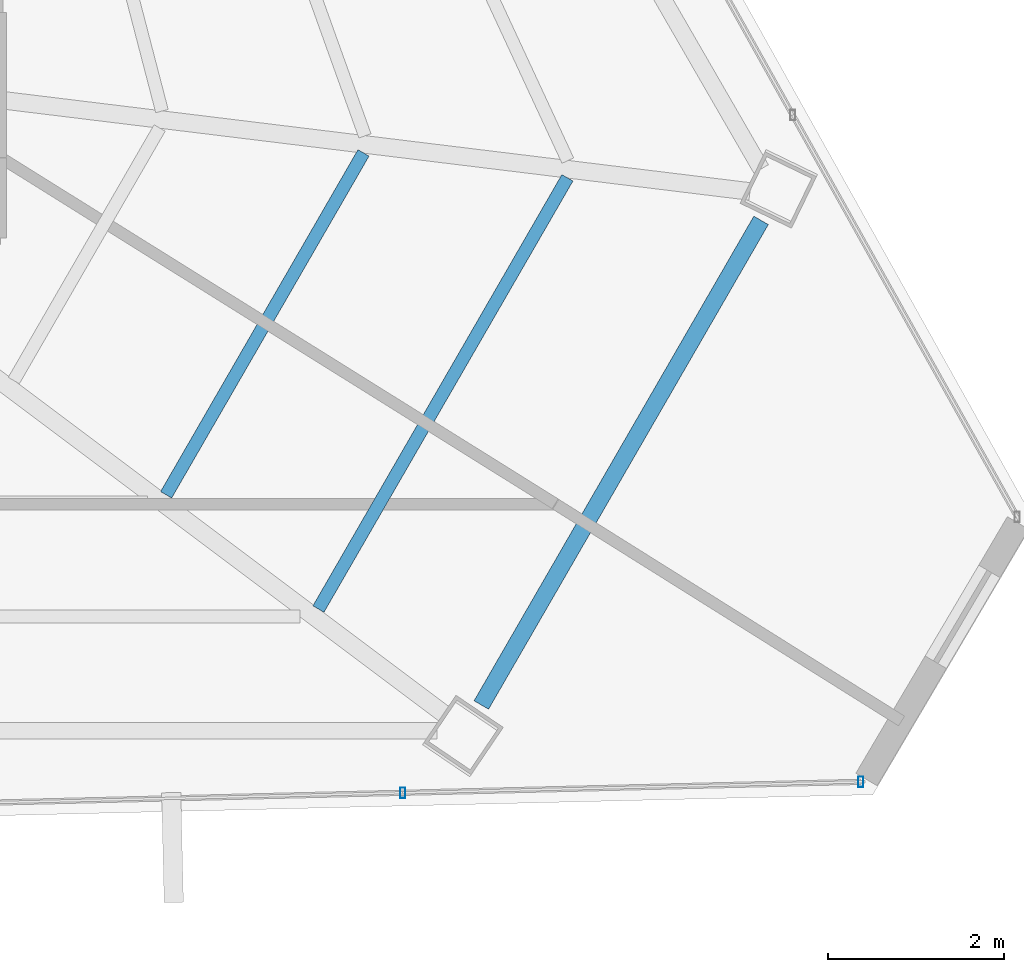
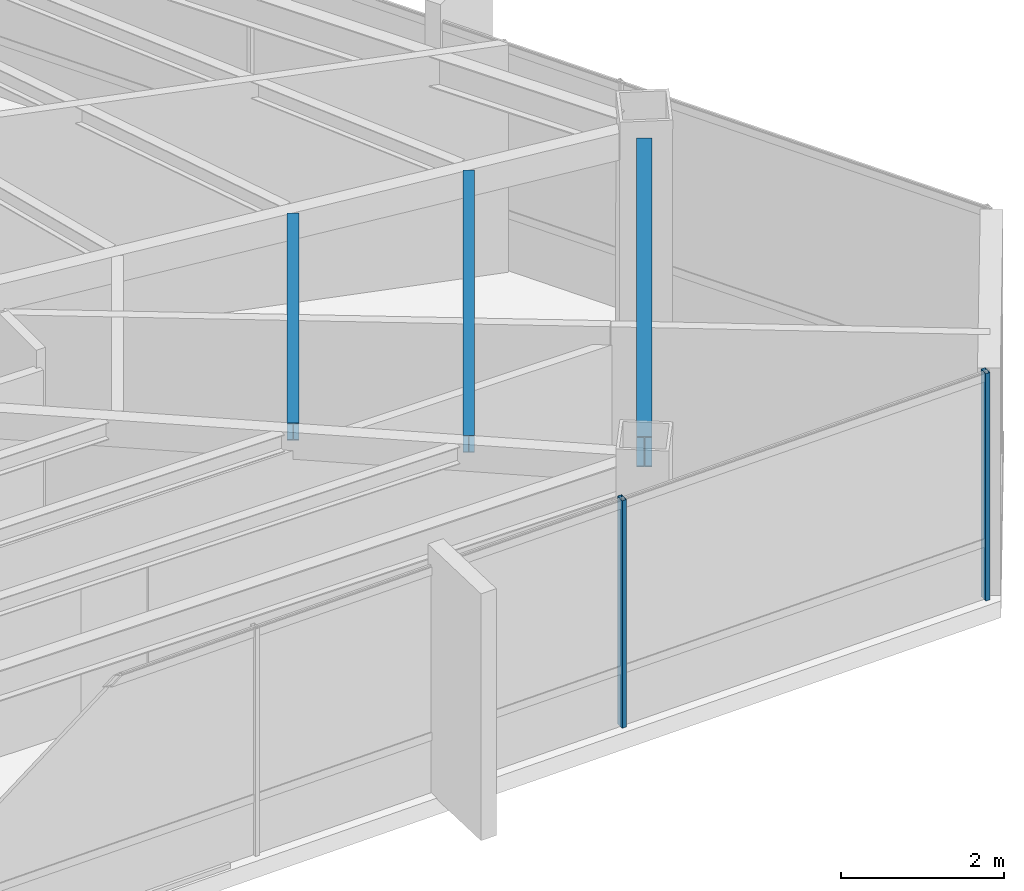
# One storey, part 21 of 45: 3 beams, 2 members, 1 element without a shape of its own.
"""IFC4 building model written with IfcOpenShell, lengths in metres."""

from ifc_helpers import new_model, si_unit, direction, frame, origin, origin_2d, place, context, subcontext, project, spatial, hollow_rectangle, i_section, extrude, source, transform, mapped, material, material_profile, profile_set, type_object, type_shapes, element, aggregate, save


model = new_model("IFC4")

# Units and contexts
model_context = context("Model", 3, precision=1e-05, world=origin(), true_north=direction((0.0, 1.0)))
body_context = subcontext(model_context, "Body", "Model", "MODEL_VIEW")
ifc_project = project(units=[si_unit("LENGTHUNIT", "METRE"), si_unit("AREAUNIT", "SQUARE_METRE"), si_unit("VOLUMEUNIT", "CUBIC_METRE"), si_unit("PLANEANGLEUNIT", "RADIAN"), si_unit("MASSUNIT", "GRAM", prefix="KILO")], contexts=[model_context])

# Site, building, storey
site_placement = place(None, origin())
site = spatial("IfcSite", under=ifc_project, at=site_placement, CompositionType="ELEMENT")
building_placement = place(site_placement, origin())
building = spatial("IfcBuilding", under=site, at=building_placement, Name="Caelisora Broadcast Tower", CompositionType="ELEMENT")
storey_placement = place(building_placement, frame((0.0, 0.0, 266.35009765625)))
storey = spatial("IfcBuildingStorey", under=building, at=storey_placement, Name="L70", CompositionType="ELEMENT", Elevation=266.35009765625)

# Beams
ifc_material_1 = material(Name="Steel Grade 350 (AS/NZS 3679.1)", Category="steel")
ifc_material_profile_1 = material_profile(ifc_material_1, i_section(OverallWidth=0.19091796875, OverallDepth=0.46044921875, WebThickness=0.010009765625, FlangeThickness=0.01611328125, at=origin_2d()), Name="Steel Grade 350 (AS/NZS 3679.1)")
ifc_profile_set_1 = profile_set([ifc_material_profile_1], Name="Steel Grade 350 (AS/NZS 3679.1)")
beam_type_1 = type_object("IfcBeamType", Name="PG06", PredefinedType="BEAM", material=ifc_profile_set_1)
shared_shape_1 = source(origin(), body_context, "Body", "SweptSolid", [
    extrude(i_section(OverallWidth=0.19091796875, OverallDepth=0.46044921875, WebThickness=0.010009765625, FlangeThickness=0.01611328125, at=origin_2d()), origin(), (0.0, 0.0, 1.0), 6.3662109375),
])
type_shapes(beam_type_1, [shared_shape_1])
beam_1_placement = place(storey_placement, frame((56.06591796875, 9.89404296875, 3.169677734375), z_axis=(0.499991339025, 0.866030404143, 0.0), x_axis=(-0.866030404143, 0.499991339025, 0.0)))
element("IfcBeam", 1, at=beam_1_placement, inside=storey, type_object=beam_type_1, Name="L70 beam PG06", PredefinedType="BEAM", context=body_context, shape_type="MappedRepresentation", body=[
    mapped(shared_shape_1, transform((0.0, 0.0, 0.0), scale=1.0)),
])
ifc_material_profile_2 = material_profile(ifc_material_1, i_section(OverallWidth=0.14599609375, OverallDepth=0.256103515625, WebThickness=0.00634765625, FlangeThickness=0.010986328125, at=origin_2d()), Name="Steel Grade 350 (AS/NZS 3679.1)")
ifc_profile_set_2 = profile_set([ifc_material_profile_2], Name="Steel Grade 350 (AS/NZS 3679.1)")
beam_type_2 = type_object("IfcBeamType", Name="SB04", PredefinedType="JOIST", material=ifc_profile_set_2)
shared_shape_2 = source(origin(), body_context, "Body", "SweptSolid", [
    extrude(i_section(OverallWidth=0.14599609375, OverallDepth=0.256103515625, WebThickness=0.00634765625, FlangeThickness=0.010986328125, at=origin_2d()), origin(), (0.0, 0.0, 1.0), 4.491455078125),
])
beam_2_placement = place(storey_placement, frame((52.480224609375, 12.285400390625, 3.271728515625), z_axis=(0.499962419225, 0.866047099968, 0.0), x_axis=(-0.866047099968, 0.499962419225, 0.0)))
element("IfcBeam", 2, at=beam_2_placement, inside=storey, type_object=beam_type_2, Name="L70 beam SB04", PredefinedType="JOIST", context=body_context, shape_type="MappedRepresentation", body=[
    mapped(shared_shape_2, transform((0.0, 0.0, 0.0), scale=1.0)),
])
shared_shape_3 = source(origin(), body_context, "Body", "SweptSolid", [
    extrude(i_section(OverallWidth=0.14599609375, OverallDepth=0.256103515625, WebThickness=0.00634765625, FlangeThickness=0.010986328125, at=origin_2d()), origin(), (0.0, 0.0, 1.0), 5.665283203125),
])
type_shapes(beam_type_2, [shared_shape_2, shared_shape_3])
beam_3_placement = place(storey_placement, frame((54.212890625, 10.985595703125, 3.271728515625), z_axis=(0.500018389893, 0.866014786115, 0.0), x_axis=(-0.866014786115, 0.500018389893, 0.0)))
element("IfcBeam", 3, at=beam_3_placement, inside=storey, type_object=beam_type_2, Name="L70 beam SB04", PredefinedType="JOIST", context=body_context, shape_type="MappedRepresentation", body=[
    mapped(shared_shape_3, transform((0.0, 0.0, 0.0), scale=1.0)),
])

# Curtain wall, members
ifc_material_2 = material(Name="Unitised Aluminium and Low-E Glass Curtain Wall", Category="glass")
curtain_wall_type = type_object("IfcCurtainWallType", Name="CW-Z5", PredefinedType="NOTDEFINED", material=ifc_material_2)
curtain_wall_placement = place(storey_placement, origin())
curtain_wall = element("IfcCurtainWall", 4, at=curtain_wall_placement, inside=storey, type_object=curtain_wall_type, Name="L70 curtain wall CW-Z5", PredefinedType="NOTDEFINED")
ifc_material_3 = material(Name="Aluminium 6063-T6 Anodised Terracotta Bronze", Category="aluminium")
ifc_material_profile_3 = material_profile(ifc_material_3, hollow_rectangle(XDim=0.06005859375, YDim=0.1201171875, WallThickness=0.0029296875, at=origin_2d()), Name="Aluminium 6063-T6 Anodised Terracotta Bronze")
ifc_profile_set_3 = profile_set([ifc_material_profile_3], Name="Aluminium 6063-T6 Anodised Terracotta Bronze")
member_type = type_object("IfcMemberType", Name="CWM-04", PredefinedType="MULLION", material=ifc_profile_set_3)
shared_shape_4 = source(origin(), body_context, "Body", "SweptSolid", [
    extrude(hollow_rectangle(XDim=0.06005859375, YDim=0.1201171875, WallThickness=0.0029296875, at=origin_2d()), origin(), (0.0, 0.0, 1.0), 3.39990234375),
])
type_shapes(member_type, [shared_shape_4])
member_1_placement = place(storey_placement, frame((60.383056640625, 9.019775390625, 0.0), z_axis=(0.0, 0.0, 1.0), x_axis=(1.0, 0.0, 0.0)))
member_1 = element("IfcMember", 5, at=member_1_placement, type_object=member_type, Name="L70-CW-B05 mullion #0", PredefinedType="MULLION", context=body_context, shape_type="MappedRepresentation", body=[
    mapped(shared_shape_4, transform((0.0, 0.0, 0.0), scale=1.0)),
])
member_2_placement = place(storey_placement, frame((55.172119140625, 8.895263671875, 0.0), z_axis=(0.0, 0.0, 1.0), x_axis=(1.0, 0.0, 0.0)))
member_2 = element("IfcMember", 6, at=member_2_placement, type_object=member_type, Name="L70-CW-B05 mullion #1", PredefinedType="MULLION", context=body_context, shape_type="MappedRepresentation", body=[
    mapped(shared_shape_4, transform((0.0, 0.0, 0.0), scale=1.0)),
])
aggregate(curtain_wall, [member_1, member_2])

save(model, "model.ifc")
